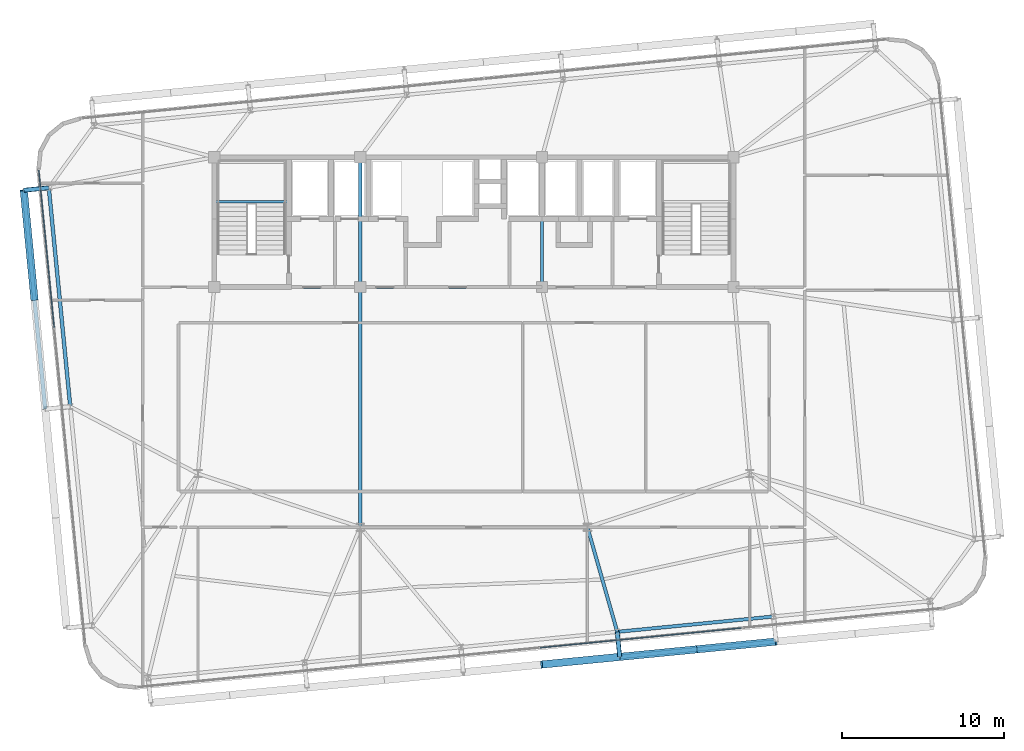
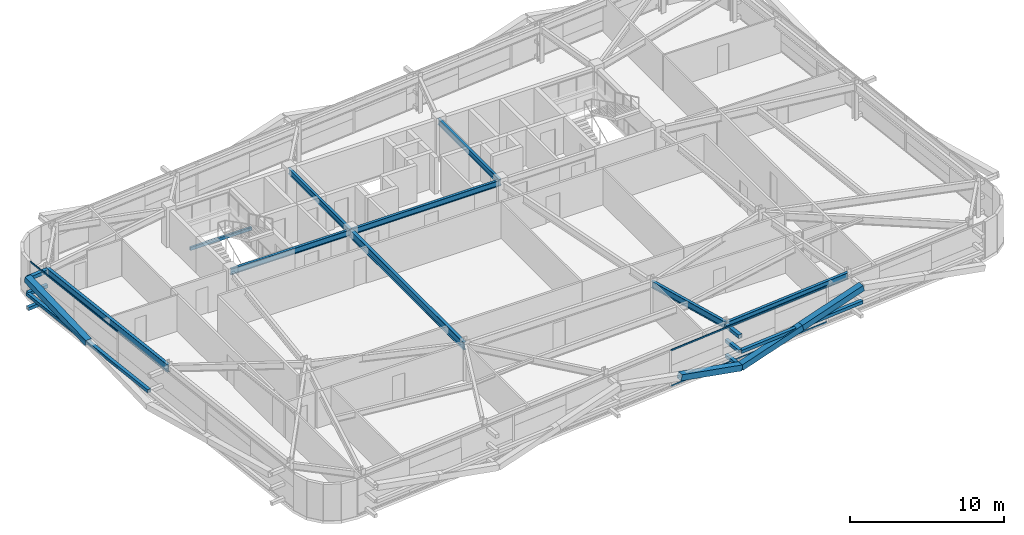
# One storey, part 14 of 47: 16 members, 9 beams, 2 elements without a shape of their own.
"""IFC4 building model written with IfcOpenShell, lengths in metres."""

from ifc_helpers import new_model, si_unit, direction, frame, origin, origin_2d, place, context, subcontext, project, spatial, hollow_rectangle, i_section, extrude, source, transform, mapped, material, layer, layer_set, material_profile, profile_set, type_object, element, aggregate, save


model = new_model("IFC4")

# Units and contexts
model_context = context("Model", 3, precision=1e-05, world=origin(), true_north=direction((0.0, 1.0)))
body_context = subcontext(model_context, "Body", "Model", "MODEL_VIEW")
ifc_project = project(units=[si_unit("LENGTHUNIT", "METRE"), si_unit("AREAUNIT", "SQUARE_METRE"), si_unit("VOLUMEUNIT", "CUBIC_METRE"), si_unit("PLANEANGLEUNIT", "RADIAN"), si_unit("MASSUNIT", "GRAM", prefix="KILO")], contexts=[model_context])

# Site, building, storey
site_placement = place(None, origin())
site = spatial("IfcSite", under=ifc_project, at=site_placement, CompositionType="ELEMENT")
building_placement = place(site_placement, origin())
building = spatial("IfcBuilding", under=site, at=building_placement, Name="Taldren Reach Tower", CompositionType="ELEMENT")
storey_placement = place(building_placement, frame((0.0, 0.0, 109.199951171875)))
storey = spatial("IfcBuildingStorey", under=building, at=storey_placement, Name="L33", CompositionType="ELEMENT", Elevation=109.199951171875)

# Beams
ifc_material_1 = material(Name="Steel Gr 350 (350PLUS)", Category="steel")
ifc_material_profile_1 = material_profile(ifc_material_1, i_section(OverallWidth=0.19091796875, OverallDepth=0.4599609375, WebThickness=0.010009765625, FlangeThickness=0.01611328125, at=origin_2d()), Name="460UB82.1")
ifc_profile_set_1 = profile_set([ifc_material_profile_1], Name="Steel Gr 350 (350PLUS)")
beam_type_1 = type_object("IfcBeamType", Name="BM-UB460A", PredefinedType="BEAM", material=ifc_profile_set_1)
shared_shape_1 = source(origin(), body_context, "Body", "SweptSolid", [
    extrude(i_section(OverallWidth=0.19091796875, OverallDepth=0.4599609375, WebThickness=0.010009765625, FlangeThickness=0.01611328125, at=origin_2d()), origin(), (0.0, 0.0, 1.0), 9.0),
])
beam_1_placement = place(storey_placement, frame((19.0, 24.0, 2.64013671875), z_axis=(1.0, 0.0, 0.0), x_axis=(0.0, 1.0, 0.0)))
element("IfcBeam", 1, at=beam_1_placement, inside=storey, type_object=beam_type_1, Name="Core-spine girder L33-SP01", PredefinedType="BEAM", context=body_context, shape_type="MappedRepresentation", body=[
    mapped(shared_shape_1, transform((0.0, 0.0, 0.0), scale=1.0)),
])
shared_shape_2 = source(origin(), body_context, "Body", "SweptSolid", [
    extrude(i_section(OverallWidth=0.19091796875, OverallDepth=0.4599609375, WebThickness=0.010009765625, FlangeThickness=0.01611328125, at=origin_2d()), origin(), (0.0, 0.0, 1.0), 11.199951171875),
])
beam_2_placement = place(storey_placement, frame((28.0, 24.0, 2.64013671875), z_axis=(1.0, 0.0, 0.0), x_axis=(0.0, 1.0, 0.0)))
element("IfcBeam", 2, at=beam_2_placement, inside=storey, type_object=beam_type_1, Name="Core-spine girder L33-SP02", PredefinedType="BEAM", context=body_context, shape_type="MappedRepresentation", body=[
    mapped(shared_shape_2, transform((0.0, 0.0, 0.0), scale=1.0)),
])
shared_shape_3 = source(origin(), body_context, "Body", "SweptSolid", [
    extrude(i_section(OverallWidth=0.19091796875, OverallDepth=0.4599609375, WebThickness=0.010009765625, FlangeThickness=0.01611328125, at=origin_2d()), origin(), (0.0, 0.0, 1.0), 8.0),
])
for number, where, z_axis, x_axis, name in (
    (3, (28.0, 24.0, 2.64013671875), (0.0, 1.0, 0.0), (-1.0, 0.0, 0.0), "Core-spine girder L33-SP07"),
    (4, (39.199951171875, 24.0, 2.64013671875), (0.0, 1.0, 0.0), (-1.0, 0.0, 0.0), "Core-spine girder L33-SP08"),
):
    element("IfcBeam", number, at=place(storey_placement, frame(where, z_axis=z_axis, x_axis=x_axis)), inside=storey, type_object=beam_type_1, Name=name, PredefinedType="BEAM", context=body_context, shape_type="MappedRepresentation", body=[
        mapped(shared_shape_3, transform((0.0, 0.0, 0.0), scale=1.0)),
    ])
ifc_material_profile_2 = material_profile(ifc_material_1, i_section(OverallWidth=0.22802734375, OverallDepth=0.60205078125, WebThickness=0.010498046875, FlangeThickness=0.014892578125, at=origin_2d()), Name="610UB101")
ifc_profile_set_2 = profile_set([ifc_material_profile_2], Name="Steel Gr 350 (350PLUS)")
beam_type_2 = type_object("IfcBeamType", Name="BM-UB610B", PredefinedType="BEAM", material=ifc_profile_set_2)
shared_shape_4 = source(origin(), body_context, "Body", "SweptSolid", [
    extrude(i_section(OverallWidth=0.22802734375, OverallDepth=0.60205078125, WebThickness=0.010498046875, FlangeThickness=0.014892578125, at=origin_2d()), origin(), (0.0, 0.0, 1.0), 14.800048828125),
])
beam_3_placement = place(storey_placement, frame((28.0, 24.0, 2.569091796875), z_axis=(0.0, -1.0, 0.0), x_axis=(1.0, 0.0, 0.0)))
element("IfcBeam", 5, at=beam_3_placement, inside=storey, type_object=beam_type_2, Name="Core-spine girder L33-SP14", PredefinedType="BEAM", context=body_context, shape_type="MappedRepresentation", body=[
    mapped(shared_shape_4, transform((0.0, 0.0, 0.0), scale=1.0)),
])

# Members
ifc_material_2 = material(Name="Steel Gr 450 (C450L0)", Category="steel")
ifc_material_profile_3 = material_profile(ifc_material_2, hollow_rectangle(XDim=0.27490234375, YDim=0.27490234375, WallThickness=0.00927734375, at=origin_2d()), Name="275x275x9.3SHS")
ifc_profile_set_3 = profile_set([ifc_material_profile_3], Name="Steel Gr 450 (C450L0)")
member_type_1 = type_object("IfcMemberType", Name="MB-TIE273", PredefinedType="STRUT", material=ifc_profile_set_3)
shared_shape_5 = source(origin(), body_context, "Body", "SweptSolid", [
    extrude(hollow_rectangle(XDim=0.27490234375, YDim=0.27490234375, WallThickness=0.00927734375, at=origin_2d()), origin(), (0.0, 0.0, 1.0), 1.5498046875),
])
member_1_placement = place(storey_placement, frame((43.83544921875, 2.75390625, 2.590087890625), z_axis=(0.097663201064, -0.995219523099, 0.0), x_axis=(0.995219523099, 0.097663201064, 0.0)))
element("IfcMember", 6, at=member_1_placement, inside=storey, type_object=member_type_1, Name="Exoskeleton diaphragm tie strut B2-S4 L33", PredefinedType="STRUT", context=body_context, shape_type="MappedRepresentation", body=[
    mapped(shared_shape_5, transform((0.0, 0.0, 0.0), scale=1.0)),
])
ifc_material_3 = material(Name="Steel Gr 350 (C350L0)", Category="steel")
ifc_material_profile_4 = material_profile(ifc_material_3, hollow_rectangle(XDim=0.25, YDim=0.25, WallThickness=0.010009765625, at=origin_2d()), Name="250x250x10.0SHS")
ifc_profile_set_4 = profile_set([ifc_material_profile_4], Name="Steel Gr 350 (C350L0)")
member_type_2 = type_object("IfcMemberType", Name="MB-POST250", PredefinedType="POST", material=ifc_profile_set_4)
shared_shape_6 = source(origin(), body_context, "Body", "SweptSolid", [
    extrude(hollow_rectangle(XDim=0.25, YDim=0.25, WallThickness=0.010009765625, at=origin_2d()), origin(), (0.0, 0.0, 1.0), 1.5498046875),
])
for number, where, z_axis, x_axis, name in (
    (7, (43.83544921875, 2.75390625, 0.219970703125), (0.097663201064, -0.995219523099, 0.0), (0.995219523099, 0.097663201064, 0.0), "Exoskeleton base diaphragm tie strut B2-S4 L33"),
    (8, (43.83544921875, 2.75390625, 1.405029296875), (0.097663201064, -0.995219523099, 0.0), (0.995219523099, 0.097663201064, 0.0), "Exoskeleton mid-tier diaphragm tie B2-S4 L33"),
):
    element("IfcMember", number, at=place(storey_placement, frame(where, z_axis=z_axis, x_axis=x_axis)), inside=storey, type_object=member_type_2, Name=name, PredefinedType="POST", context=body_context, shape_type="MappedRepresentation", body=[
        mapped(shared_shape_6, transform((0.0, 0.0, 0.0), scale=1.0)),
    ])

# Beams
ifc_material_profile_5 = material_profile(ifc_material_1, i_section(OverallWidth=0.208984375, OverallDepth=0.528076171875, WebThickness=0.009521484375, FlangeThickness=0.01318359375, at=origin_2d()), Name="530UB82.0")
ifc_profile_set_5 = profile_set([ifc_material_profile_5], Name="Steel Gr 350 (350PLUS)")
beam_type_3 = type_object("IfcBeamType", Name="SP-UB530B", PredefinedType="SPANDREL", material=ifc_profile_set_5)
shared_shape_7 = source(origin(), body_context, "Body", "SweptSolid", [
    extrude(i_section(OverallWidth=0.208984375, OverallDepth=0.528076171875, WebThickness=0.009521484375, FlangeThickness=0.01318359375, at=origin_2d()), origin(), (0.0, 0.0, 1.0), 9.68017578125),
])
beam_4_placement = place(storey_placement, frame((43.83544921875, 2.75390625, 2.60595703125), z_axis=(0.995227852805, 0.097578281404, 0.0), x_axis=(-0.097578281404, 0.995227852805, 0.0)))
element("IfcBeam", 9, at=beam_4_placement, inside=storey, type_object=beam_type_3, Name="Perimeter spandrel B2 S4-S5 L33", PredefinedType="SPANDREL", context=body_context, shape_type="MappedRepresentation", body=[
    mapped(shared_shape_7, transform((0.0, 0.0, 0.0), scale=1.0)),
])
shared_shape_8 = source(origin(), body_context, "Body", "SweptSolid", [
    extrude(i_section(OverallWidth=0.22802734375, OverallDepth=0.60205078125, WebThickness=0.010498046875, FlangeThickness=0.014892578125, at=origin_2d()), origin(), (0.0, 0.0, 1.0), 13.550048828125),
])
beam_5_placement = place(storey_placement, frame((8.808349609375, 30.116455078125, 2.569091796875), z_axis=(0.097584021339, -0.995227290009, 0.0), x_axis=(0.995227290009, 0.097584021339, 0.0)))
element("IfcBeam", 10, at=beam_5_placement, inside=storey, type_object=beam_type_2, Name="Perimeter gable girder B2 W3-W2 L33", PredefinedType="BEAM", context=body_context, shape_type="MappedRepresentation", body=[
    mapped(shared_shape_8, transform((0.0, 0.0, 0.0), scale=1.0)),
])
ifc_material_profile_6 = material_profile(ifc_material_1, i_section(OverallWidth=0.208984375, OverallDepth=0.532958984375, WebThickness=0.01025390625, FlangeThickness=0.015625, at=origin_2d()), Name="530UB92.4")
ifc_profile_set_6 = profile_set([ifc_material_profile_6], Name="Steel Gr 350 (350PLUS)")
beam_type_4 = type_object("IfcBeamType", Name="BM-UB530A", PredefinedType="BEAM", material=ifc_profile_set_6)
shared_shape_9 = source(origin(), body_context, "Body", "SweptSolid", [
    extrude(i_section(OverallWidth=0.208984375, OverallDepth=0.532958984375, WebThickness=0.01025390625, FlangeThickness=0.015625, at=origin_2d()), origin(), (0.0, 0.0, 1.0), 6.7021484375),
])
beam_6_placement = place(storey_placement, frame((42.0, 9.199951171875, 2.603515625), z_axis=(0.273855026091, -0.961770983491, 0.0), x_axis=(0.961770983491, 0.273855026091, 0.0)))
element("IfcBeam", 11, at=beam_6_placement, inside=storey, type_object=beam_type_4, Name="Primary floor girder B2-S4 L33", PredefinedType="BEAM", context=body_context, shape_type="MappedRepresentation", body=[
    mapped(shared_shape_9, transform((0.0, 0.0, 0.0), scale=1.0)),
])

# Members
shared_shape_10 = source(origin(), body_context, "Body", "SweptSolid", [
    extrude(hollow_rectangle(XDim=0.27490234375, YDim=0.27490234375, WallThickness=0.00927734375, at=origin_2d()), origin(), (0.0, 0.0, 1.0), 1.550048828125),
])
member_2_placement = place(storey_placement, frame((8.808349609375, 30.116455078125, 2.590087890625), z_axis=(-0.9952210252, -0.097647892962, 0.0), x_axis=(0.097647892962, -0.9952210252, 0.0)))
element("IfcMember", 12, at=member_2_placement, inside=storey, type_object=member_type_1, Name="Exoskeleton diaphragm tie strut B2-W3 L33", PredefinedType="STRUT", context=body_context, shape_type="MappedRepresentation", body=[
    mapped(shared_shape_10, transform((0.0, 0.0, 0.0), scale=1.0)),
])
shared_shape_11 = source(origin(), body_context, "Body", "SweptSolid", [
    extrude(hollow_rectangle(XDim=0.25, YDim=0.25, WallThickness=0.010009765625, at=origin_2d()), origin(), (0.0, 0.0, 1.0), 9.679931640625),
])
member_3_placement = place(storey_placement, frame((43.98681640625, 1.21142578125, 1.405029296875), z_axis=(0.995227612658, 0.097580730699, 0.0), x_axis=(-0.097580730699, 0.995227612658, 0.0)))
element("IfcMember", 13, at=member_3_placement, inside=storey, type_object=member_type_2, Name="Exoskeleton mid-height ring chord B2-S4 L33", PredefinedType="POST", context=body_context, shape_type="MappedRepresentation", body=[
    mapped(shared_shape_11, transform((0.0, 0.0, 0.0), scale=1.0)),
])
shared_shape_12 = source(origin(), body_context, "Body", "SweptSolid", [
    extrude(hollow_rectangle(XDim=0.25, YDim=0.25, WallThickness=0.010009765625, at=origin_2d()), origin(), (0.0, 0.0, 1.0), 1.550048828125),
])
for number, where, z_axis, x_axis, name in (
    (14, (8.808349609375, 30.116455078125, 0.219970703125), (-0.9952210252, -0.097647892962, 0.0), (0.097647892962, -0.9952210252, 0.0), "Exoskeleton base diaphragm tie strut B2-W3 L33"),
    (15, (8.808349609375, 30.116455078125, 1.405029296875), (-0.9952210252, -0.097647892962, 0.0), (0.097647892962, -0.9952210252, 0.0), "Exoskeleton mid-tier diaphragm tie B2-W3 L33"),
):
    element("IfcMember", number, at=place(storey_placement, frame(where, z_axis=z_axis, x_axis=x_axis)), inside=storey, type_object=member_type_2, Name=name, PredefinedType="POST", context=body_context, shape_type="MappedRepresentation", body=[
        mapped(shared_shape_12, transform((0.0, 0.0, 0.0), scale=1.0)),
    ])
shared_shape_13 = source(origin(), body_context, "Body", "SweptSolid", [
    extrude(hollow_rectangle(XDim=0.25, YDim=0.25, WallThickness=0.010009765625, at=origin_2d()), origin(), (0.0, 0.0, 1.0), 13.550048828125),
])
member_4_placement = place(storey_placement, frame((8.587890625, 16.479736328125, 1.405029296875), z_axis=(-0.097584021339, 0.995227290009, 0.0), x_axis=(-0.995227290009, -0.097584021339, 0.0)))
element("IfcMember", 16, at=member_4_placement, inside=storey, type_object=member_type_2, Name="Exoskeleton mid-height ring chord B2-W2 L33", PredefinedType="POST", context=body_context, shape_type="MappedRepresentation", body=[
    mapped(shared_shape_13, transform((0.0, 0.0, 0.0), scale=1.0)),
])
ifc_material_profile_7 = material_profile(ifc_material_2, hollow_rectangle(XDim=0.4599609375, YDim=0.4599609375, WallThickness=0.01611328125, at=origin_2d()), Name="460x460x16.0SHS")
ifc_profile_set_7 = profile_set([ifc_material_profile_7], Name="Steel Gr 450 (C450L0)")
member_type_3 = type_object("IfcMemberType", Name="MB-EXO457", PredefinedType="BRACE", material=ifc_profile_set_7)
shared_shape_14 = source(origin(), body_context, "Body", "SweptSolid", [
    extrude(hollow_rectangle(XDim=0.4599609375, YDim=0.4599609375, WallThickness=0.01611328125, at=origin_2d()), origin(), (0.0, 0.0, 1.0), 4.98291015625),
])
for number, where, z_axis, x_axis, name in (
    (17, (43.98681640625, 1.21142578125, 0.219970703125), (-0.966671000152, -0.094805290689, 0.23782164393), (0.097605711627, -0.995225162995, 0.0), "Exoskeleton Diagrid Brace B2-S3 L33"),
    (18, (43.98681640625, 1.21142578125, 0.219970703125), (0.966675489194, 0.094756735738, 0.23782274833), (-0.097555749586, 0.995230061706, 0.0), "Exoskeleton Diagrid Brace B2-S4 L33"),
    (19, (48.8037109375, 1.68359375, 1.405029296875), (0.966671000152, 0.094805290689, 0.23782164393), (-0.097605711627, 0.995225162995, 0.0), "Exoskeleton Diagrid Brace B2-S4 L33"),
):
    element("IfcMember", number, at=place(storey_placement, frame(where, z_axis=z_axis, x_axis=x_axis)), inside=storey, type_object=member_type_3, Name=name, PredefinedType="BRACE", context=body_context, shape_type="MappedRepresentation", body=[
        mapped(shared_shape_14, transform((0.0, 0.0, 0.0), scale=1.0)),
    ])
shared_shape_15 = source(origin(), body_context, "Body", "SweptSolid", [
    extrude(hollow_rectangle(XDim=0.4599609375, YDim=0.4599609375, WallThickness=0.01611328125, at=origin_2d()), origin(), (0.0, 0.0, 1.0), 6.8779296875),
])
member_5_placement = place(storey_placement, frame((7.9267578125, 23.222412109375, 1.405029296875), z_axis=(-0.096124602974, 0.980343162824, 0.172300156143), x_axis=(-0.995227290009, -0.097584021339, 0.0)))
element("IfcMember", 20, at=member_5_placement, inside=storey, type_object=member_type_3, Name="Exoskeleton Diagrid Brace B2-W2 L33", PredefinedType="BRACE", context=body_context, shape_type="MappedRepresentation", body=[
    mapped(shared_shape_15, transform((0.0, 0.0, 0.0), scale=1.0)),
])

# Curtain wall, members
ifc_material_4 = material(Name="Aluminium and Low-E Glass Unitised System", Category="aluminium")
ifc_layer = layer(ifc_material_4, 0.159912109375)
ifc_layer_set = layer_set([ifc_layer], Name="Aluminium and Low-E Glass Unitised System")
curtain_wall_type = type_object("IfcCurtainWallType", Name="CW-SYS-3", PredefinedType="NOTDEFINED", material=ifc_layer_set)
curtain_wall_1_placement = place(storey_placement, origin())
curtain_wall_1 = element("IfcCurtainWall", 21, at=curtain_wall_1_placement, inside=storey, type_object=curtain_wall_type, Name="Unitised curtain wall CW-L33-S", PredefinedType="NOTDEFINED")
ifc_material_5 = material(Name="Anodised Aluminium 6063-T6", Category="aluminium")
ifc_material_profile_8 = material_profile(ifc_material_5, hollow_rectangle(XDim=0.054931640625, YDim=0.1201171875, WallThickness=0.0029296875, at=origin_2d()), Name="ALU-120x55x3RHS")
ifc_profile_set_8 = profile_set([ifc_material_profile_8], Name="Anodised Aluminium 6063-T6")
member_type_4 = type_object("IfcMemberType", Name="CW-TRN-135", PredefinedType="USERDEFINED", material=ifc_profile_set_8)
shared_shape_16 = source(origin(), body_context, "Body", "SweptSolid", [
    extrude(hollow_rectangle(XDim=0.054931640625, YDim=0.1201171875, WallThickness=0.0029296875, at=origin_2d()), origin(), (0.0, 0.0, 1.0), 12.434814453125),
])
member_6_placement = place(storey_placement, frame((39.100830078125, 1.777099609375, 0.027587890625), z_axis=(0.995225870556, 0.097598496795, 0.0), x_axis=(-0.097598496795, 0.995225870556, 0.0)))
member_6 = element("IfcMember", 22, at=member_6_placement, type_object=member_type_4, Name="CW-3 transom 3.1", ObjectType="TRANSOM", PredefinedType="USERDEFINED", context=body_context, shape_type="MappedRepresentation", body=[
    mapped(shared_shape_16, transform((0.0, 0.0, 0.0), scale=1.0)),
])
member_7_placement = place(storey_placement, frame((39.100830078125, 1.777099609375, 2.842529296875), z_axis=(0.995225870556, 0.097598496795, 0.0), x_axis=(-0.097598496795, 0.995225870556, 0.0)))
member_7 = element("IfcMember", 23, at=member_7_placement, type_object=member_type_4, Name="CW-3 transom 3.2", ObjectType="TRANSOM", PredefinedType="USERDEFINED", context=body_context, shape_type="MappedRepresentation", body=[
    mapped(shared_shape_16, transform((0.0, 0.0, 0.0), scale=1.0)),
])
aggregate(curtain_wall_1, [member_6, member_7])

curtain_wall_2_placement = place(storey_placement, origin())
curtain_wall_2 = element("IfcCurtainWall", 24, at=curtain_wall_2_placement, inside=storey, type_object=curtain_wall_type, Name="Unitised curtain wall CW-L33-W", PredefinedType="NOTDEFINED")
shared_shape_17 = source(origin(), body_context, "Body", "SweptSolid", [
    extrude(hollow_rectangle(XDim=0.054931640625, YDim=0.1201171875, WallThickness=0.0029296875, at=origin_2d()), origin(), (0.0, 0.0, 1.0), 9.73583984375),
])
member_8_placement = place(storey_placement, frame((8.18994140625, 31.1962890625, 0.027587890625), z_axis=(0.097571911043, -0.995228477374, 0.0), x_axis=(0.995228477374, 0.097571911043, 0.0)))
member_8 = element("IfcMember", 25, at=member_8_placement, type_object=member_type_4, Name="CW-3 transom 1.1", ObjectType="TRANSOM", PredefinedType="USERDEFINED", context=body_context, shape_type="MappedRepresentation", body=[
    mapped(shared_shape_17, transform((0.0, 0.0, 0.0), scale=1.0)),
])
member_9_placement = place(storey_placement, frame((8.18994140625, 31.1962890625, 2.842529296875), z_axis=(0.097571911043, -0.995228477374, 0.0), x_axis=(0.995228477374, 0.097571911043, 0.0)))
member_9 = element("IfcMember", 26, at=member_9_placement, type_object=member_type_4, Name="CW-3 transom 1.2", ObjectType="TRANSOM", PredefinedType="USERDEFINED", context=body_context, shape_type="MappedRepresentation", body=[
    mapped(shared_shape_17, transform((0.0, 0.0, 0.0), scale=1.0)),
])
aggregate(curtain_wall_2, [member_8, member_9])

# Beam
ifc_material_profile_9 = material_profile(ifc_material_3, hollow_rectangle(XDim=0.14990234375, YDim=0.25, WallThickness=0.009033203125, at=origin_2d()), Name="250x150x9.0RHS")
ifc_profile_set_9 = profile_set([ifc_material_profile_9], Name="Steel Gr 350 (C350L0)")
beam_type_5 = type_object("IfcBeamType", Name="LN-RHS250", PredefinedType="LINTEL", material=ifc_profile_set_9)
shared_shape_18 = source(origin(), body_context, "Body", "SweptSolid", [
    extrude(hollow_rectangle(XDim=0.14990234375, YDim=0.25, WallThickness=0.009033203125, at=origin_2d()), origin(), (0.0, 0.0, 1.0), 4.60009765625),
])
beam_7_placement = place(storey_placement, frame((19.0, 29.2548828125, 1.27001953125), z_axis=(1.0, 0.0, 0.0), x_axis=(0.0, 1.0, 0.0)))
element("IfcBeam", 27, at=beam_7_placement, inside=storey, type_object=beam_type_5, Name="Stair half-landing support beam ST1-L33-1", PredefinedType="LINTEL", context=body_context, shape_type="MappedRepresentation", body=[
    mapped(shared_shape_18, transform((0.0, 0.0, 0.0), scale=1.0)),
])

save(model, "model.ifc")
